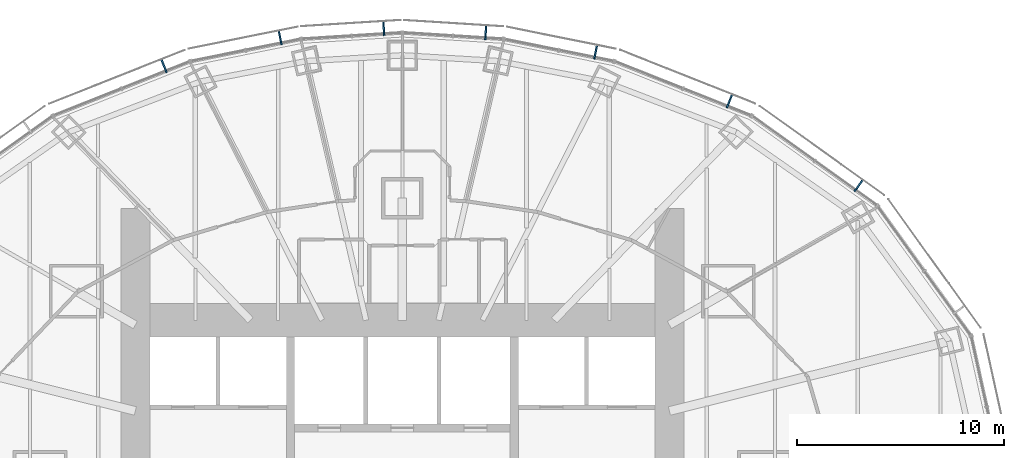
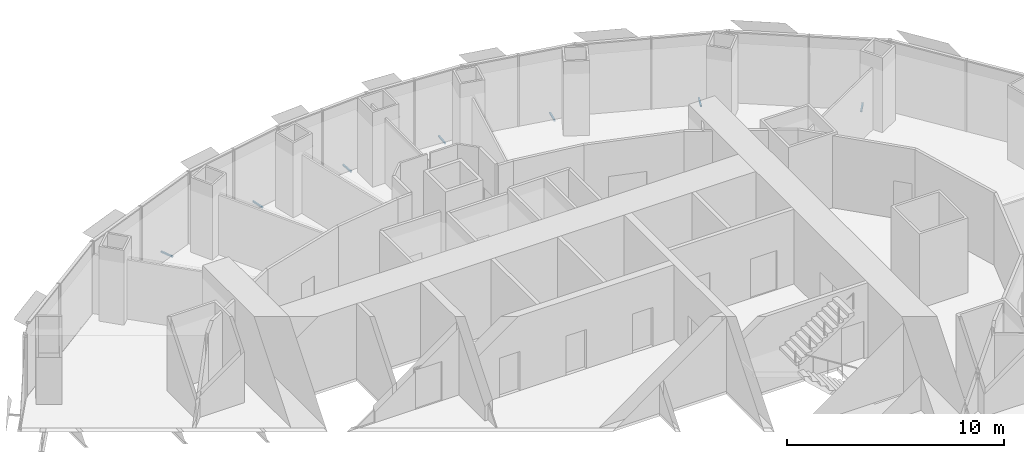
# One storey, part 15 of 18: 7 discrete accessories.
"""IFC4 building model written with IfcOpenShell, lengths in metres."""

from ifc_helpers import new_model, si_unit, direction, frame, origin, origin_2d, place, context, subcontext, project, spatial, rectangle, extrude, element, save


model = new_model("IFC4")

# Units and contexts
model_context = context("Model", 3, precision=1e-05, world=origin(), true_north=direction((0.0, 1.0)))
body_context = subcontext(model_context, "Body", "Model", "MODEL_VIEW")
ifc_project = project(units=[si_unit("LENGTHUNIT", "METRE"), si_unit("AREAUNIT", "SQUARE_METRE"), si_unit("VOLUMEUNIT", "CUBIC_METRE"), si_unit("PLANEANGLEUNIT", "RADIAN"), si_unit("MASSUNIT", "GRAM", prefix="KILO")], contexts=[model_context])

# Site, building, storey
site_placement = place(None, origin())
site = spatial("IfcSite", under=ifc_project, at=site_placement, CompositionType="ELEMENT")
building_placement = place(site_placement, origin())
building = spatial("IfcBuilding", under=site, at=building_placement, Name="Lantaw Convention Tower", CompositionType="ELEMENT")
storey_placement = place(building_placement, frame((0.0, 0.0, 146.800048828125)))
storey = spatial("IfcBuildingStorey", under=building, at=storey_placement, Name="L34", CompositionType="ELEMENT", Elevation=146.800048828125)

# Discrete accessories
for number, where, z_axis, x_axis, name in (
    (1, (22.044189453125, 14.10546875, -0.114990234375), (0.0, 0.0, 1.0), (-0.813208325995, 0.581972695693, 0.0), "Screen bracket"),
    (2, (15.802978515625, 18.18798828125, -0.114990234375), (0.0, 0.0, 1.0), (-0.929547687544, 0.368701907483, 0.0), "Screen bracket"),
    (3, (9.339599609375, 20.56005859375, -0.114990234375), (0.0, 0.0, 1.0), (-0.980301514912, 0.197506809659, 0.0), "Screen bracket"),
    (4, (4.027099609375, 21.505859375, -0.114990234375), (0.0, 0.0, 1.0), (-0.998022035978, 0.062865059466, 0.0), "Screen bracket"),
    (5, (-0.89794921875, 21.702880859375, -0.114990234375), (0.0, 0.0, 1.0), (-0.998022035978, -0.062865059466, 0.0), "Screen bracket"),
    (6, (-5.903076171875, 21.25244140625, -0.114990234375), (0.0, 0.0, 1.0), (-0.980301514912, -0.197506809659, 0.0), "Screen bracket"),
    (7, (-11.517822265625, 19.887939453125, -0.114990234375), (0.0, 0.0, 1.0), (-0.929547687544, -0.368701907483, 0.0), "Screen bracket"),
):
    element("IfcDiscreteAccessory", number, at=place(storey_placement, frame(where, z_axis=z_axis, x_axis=x_axis)), inside=storey, Name=name, PredefinedType="BRACKET", context=body_context, shape_type="SweptSolid", body=[
        extrude(rectangle(XDim=0.080078125, YDim=0.68798828125, at=origin_2d()), origin(), (0.0, 0.0, 1.0), 0.080078125),
    ])

save(model, "model.ifc")
